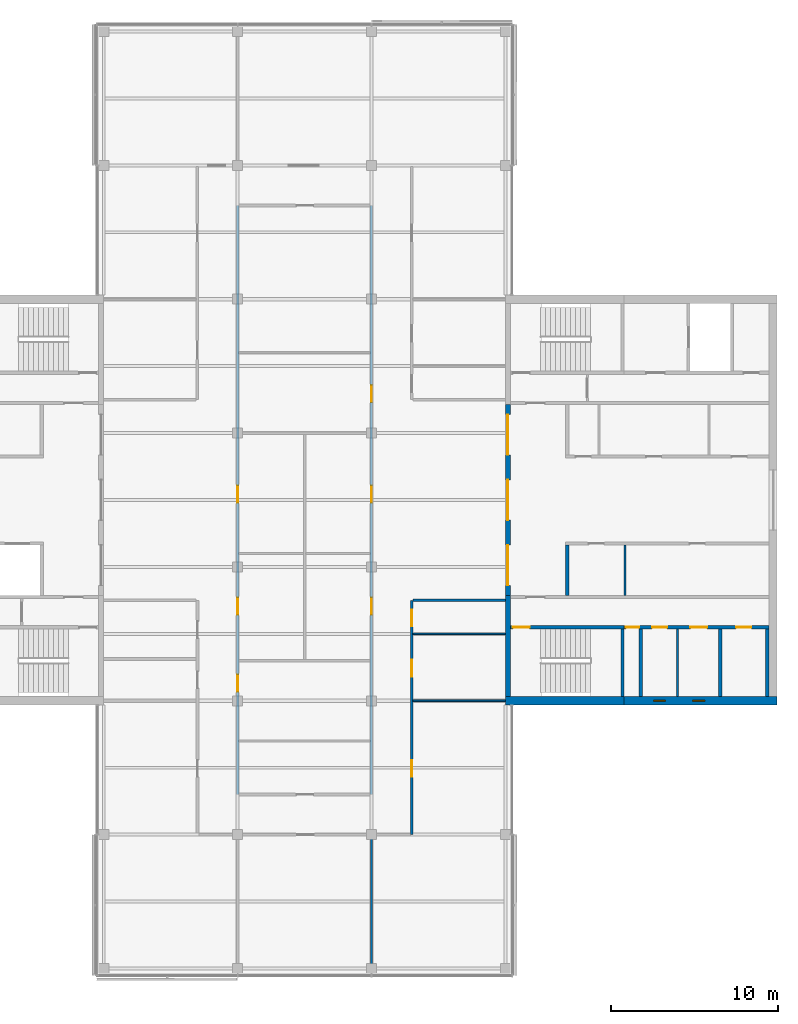
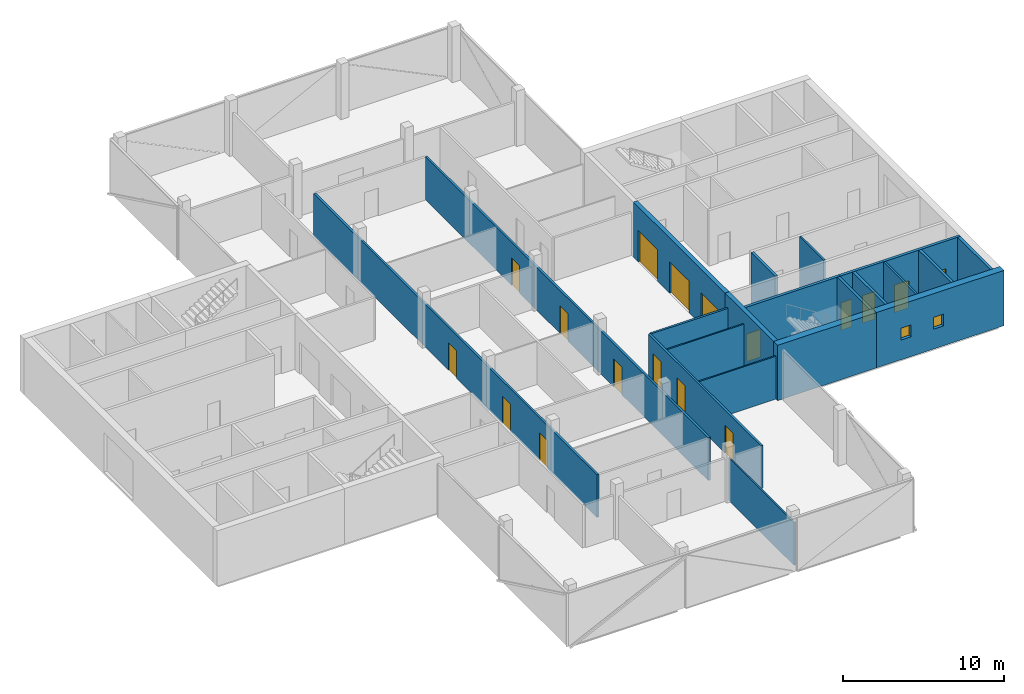
# One storey, part 10 of 16: 20 walls, 17 doors, 2 windows, 19 openings.
"""IFC4 building model written with IfcOpenShell, lengths in metres."""

from ifc_helpers import new_model, si_unit, direction, frame, frame_2d, origin, place, context, subcontext, project, spatial, rectangle, extrude, material, layer, layer_set, constituent, constituent_set, type_object, element, fill, save


model = new_model("IFC4")

# Units and contexts
model_context = context("Model", 3, precision=1e-05, world=origin(), true_north=direction((0.0, 1.0)))
body_context = subcontext(model_context, "Body", "Model", "MODEL_VIEW")
ifc_project = project(units=[si_unit("LENGTHUNIT", "METRE"), si_unit("AREAUNIT", "SQUARE_METRE"), si_unit("VOLUMEUNIT", "CUBIC_METRE"), si_unit("PLANEANGLEUNIT", "RADIAN"), si_unit("MASSUNIT", "GRAM", prefix="KILO")], contexts=[model_context])

# Site, building, storey
site_placement = place(None, origin())
site = spatial("IfcSite", under=ifc_project, at=site_placement, CompositionType="ELEMENT")
building_placement = place(site_placement, origin())
building = spatial("IfcBuilding", under=site, at=building_placement, Name="Crosswind Convention Tower", CompositionType="ELEMENT")
storey_placement = place(building_placement, frame((0.0, 0.0, 299.699951171875)))
storey = spatial("IfcBuildingStorey", under=building, at=storey_placement, Name="L65", CompositionType="ELEMENT", Elevation=299.699951171875)

# Wall
ifc_material_1 = material(Name="Concrete blockwork", Category="masonry")
ifc_layer_1 = layer(ifc_material_1, 0.199951171875)
ifc_layer_set_1 = layer_set([ifc_layer_1], Name="Blockwork partition wall 200")
wall_type_1 = type_object("IfcWallType", Name="Blockwork partition wall 200", PredefinedType="PARTITIONING", material=ifc_layer_set_1)
wall_1_placement = place(storey_placement, frame((145.10009765625, 88.25, 0.0), z_axis=(0.0, 0.0, 1.0), x_axis=(0.0, 1.0, 0.0)))
element("IfcWall", 1, at=wall_1_placement, inside=storey, type_object=wall_type_1, Name="Wall MRSE E L65", PredefinedType="PARTITIONING", context=body_context, shape_type="SweptSolid", body=[
    extrude(rectangle(XDim=4.050048828125, YDim=0.199951171875, at=frame_2d((2.02490234375, 0.0))), origin(), (0.0, 0.0, 1.0), 4.199951171875),
])

# Wall, openings, doors
ifc_material_2 = material(Name="Concrete C50/60", Category="concrete")
ifc_layer_2 = layer(ifc_material_2, 0.300048828125)
ifc_layer_set_2 = layer_set([ifc_layer_2], Name="Concrete C50/60")
wall_type_2 = type_object("IfcWallType", Name="Concrete inner core wall 300", PredefinedType="SHEAR", material=ifc_layer_set_2)
wall_2_placement = place(storey_placement, frame((137.14990234375, 94.300048828125, 0.0), z_axis=(0.0, 0.0, 1.0), x_axis=(0.0, 1.0, 0.0)))
wall_2 = element("IfcWall", 2, at=wall_2_placement, inside=storey, type_object=wall_type_2, Name="Wall SCR E L65", PredefinedType="SHEAR", context=body_context, shape_type="SweptSolid", body=[
    extrude(rectangle(XDim=11.39990234375, YDim=0.300048828125, at=frame_2d((5.699951171875, 0.0))), origin(), (0.0, 0.0, 1.0), 4.199951171875),
])
opening_1_placement = place(wall_2_placement, frame((0.60009765625, 0.0, 0.0)))
opening_1 = element("IfcOpeningElement", 3, at=opening_1_placement, cuts=wall_2, Name="Opening D100", PredefinedType="OPENING", context=body_context, shape_type="SweptSolid", body=[
    extrude(rectangle(XDim=2.39990234375, YDim=2.39990234375, at=frame_2d((1.199951171875, 1.199951171875))), frame((0.0, 0.159912109375, 0.0), z_axis=(0.0, -1.0, 0.0), x_axis=(1.0, 0.0, 0.0)), (0.0, 0.0, 1.0), 0.320068359375),
])
opening_2_placement = place(wall_2_placement, frame((4.5, 0.0, 0.0)))
opening_2 = element("IfcOpeningElement", 4, at=opening_2_placement, cuts=wall_2, Name="Opening D100", PredefinedType="OPENING", context=body_context, shape_type="SweptSolid", body=[
    extrude(rectangle(XDim=2.39990234375, YDim=2.39990234375, at=frame_2d((1.199951171875, 1.199951171875))), frame((0.0, 0.159912109375, 0.0), z_axis=(0.0, -1.0, 0.0), x_axis=(1.0, 0.0, 0.0)), (0.0, 0.0, 1.0), 0.320068359375),
])
opening_3_placement = place(wall_2_placement, frame((8.39990234375, 0.0, 0.0)))
opening_3 = element("IfcOpeningElement", 5, at=opening_3_placement, cuts=wall_2, Name="Opening D100", PredefinedType="OPENING", context=body_context, shape_type="SweptSolid", body=[
    extrude(rectangle(XDim=2.39990234375, YDim=2.39990234375, at=frame_2d((1.199951171875, 1.199951171875))), frame((0.0, 0.159912109375, 0.0), z_axis=(0.0, -1.0, 0.0), x_axis=(1.0, 0.0, 0.0)), (0.0, 0.0, 1.0), 0.320068359375),
])
ifc_material_3 = material(Name="Steel fire door with glazed vision panels", Category="steel")
door_type_1 = type_object("IfcDoorType", Name="Fire-rated double door 2400x2400", OperationType="DOUBLE_DOOR_SINGLE_SWING", PredefinedType="DOOR", material=ifc_material_3)
door_1_placement = place(opening_1_placement, origin())
door_1 = element("IfcDoor", 6, at=door_1_placement, inside=storey, type_object=door_type_1, Name="Lobby door 1 L65", ObjectType="D100", OperationType="DOUBLE_DOOR_SINGLE_SWING", OverallHeight=2.39990234375, OverallWidth=2.39990234375, PredefinedType="DOOR", context=body_context, shape_type="SweptSolid", body=[
    extrude(rectangle(XDim=2.39990234375, YDim=2.39990234375, at=frame_2d((1.199951171875, 1.199951171875))), frame((0.0, 0.02490234375, 0.0), z_axis=(0.0, -1.0, 0.0), x_axis=(1.0, 0.0, 0.0)), (0.0, 0.0, 1.0), 0.050048828125),
])
fill(opening_1, door_1)
door_2_placement = place(opening_2_placement, origin())
door_2 = element("IfcDoor", 7, at=door_2_placement, inside=storey, type_object=door_type_1, Name="Lobby door 2 L65", ObjectType="D100", OperationType="DOUBLE_DOOR_SINGLE_SWING", OverallHeight=2.39990234375, OverallWidth=2.39990234375, PredefinedType="DOOR", context=body_context, shape_type="SweptSolid", body=[
    extrude(rectangle(XDim=2.39990234375, YDim=2.39990234375, at=frame_2d((1.199951171875, 1.199951171875))), frame((0.0, 0.02490234375, 0.0), z_axis=(0.0, -1.0, 0.0), x_axis=(1.0, 0.0, 0.0)), (0.0, 0.0, 1.0), 0.050048828125),
])
fill(opening_2, door_2)
door_3_placement = place(opening_3_placement, origin())
door_3 = element("IfcDoor", 8, at=door_3_placement, inside=storey, type_object=door_type_1, Name="Lobby door 3 L65", ObjectType="D100", OperationType="DOUBLE_DOOR_SINGLE_SWING", OverallHeight=2.39990234375, OverallWidth=2.39990234375, PredefinedType="DOOR", context=body_context, shape_type="SweptSolid", body=[
    extrude(rectangle(XDim=2.39990234375, YDim=2.39990234375, at=frame_2d((1.199951171875, 1.199951171875))), frame((0.0, 0.02490234375, 0.0), z_axis=(0.0, -1.0, 0.0), x_axis=(1.0, 0.0, 0.0)), (0.0, 0.0, 1.0), 0.050048828125),
])
fill(opening_3, door_3)

# Walls
wall_3_placement = place(storey_placement, frame((137.14990234375, 88.25, 0.0), z_axis=(0.0, 0.0, 1.0), x_axis=(0.0, 1.0, 0.0)))
element("IfcWall", 9, at=wall_3_placement, inside=storey, type_object=wall_type_2, Name="Wall EM E L65", PredefinedType="SHEAR", context=body_context, shape_type="SweptSolid", body=[
    extrude(rectangle(XDim=6.050048828125, YDim=0.300048828125, at=frame_2d((3.02490234375, 0.0))), origin(), (0.0, 0.0, 1.0), 4.199951171875),
])
ifc_layer_3 = layer(ifc_material_2, 0.199951171875)
ifc_layer_set_3 = layer_set([ifc_layer_3], Name="Concrete C50/60")
wall_type_3 = type_object("IfcWallType", Name="Concrete shaft and stair wall 200", PredefinedType="SHEAR", material=ifc_layer_set_3)
wall_4_placement = place(storey_placement, frame((140.699951171875, 94.300048828125, 0.0), z_axis=(0.0, 0.0, 1.0), x_axis=(0.0, 1.0, 0.0)))
element("IfcWall", 10, at=wall_4_placement, inside=storey, type_object=wall_type_3, Name="Wall RMEND E L65", PredefinedType="SHEAR", context=body_context, shape_type="SweptSolid", body=[
    extrude(rectangle(XDim=3.0, YDim=0.199951171875, at=frame_2d((1.5, 0.0))), origin(), (0.0, 0.0, 1.0), 4.199951171875),
])
for number, where, z_axis, x_axis, name in (
    (11, (144.0, 88.25, 0.0), (0.0, 0.0, 1.0), (0.0, 1.0, 0.0), "Wall MSE E L65"),
    (12, (149.85009765625, 88.25, 0.0), (0.0, 0.0, 1.0), (0.0, 1.0, 0.0), "Wall MFSW E L65"),
    (13, (152.64990234375, 88.25, 0.0), (0.0, 0.0, 1.0), (0.0, 1.0, 0.0), "Wall MFSE E L65"),
):
    element("IfcWall", number, at=place(storey_placement, frame(where, z_axis=z_axis, x_axis=x_axis)), inside=storey, type_object=wall_type_3, Name=name, PredefinedType="SHEAR", context=body_context, shape_type="SweptSolid", body=[
        extrude(rectangle(XDim=4.050048828125, YDim=0.199951171875, at=frame_2d((2.02490234375, 0.0))), origin(), (0.0, 0.0, 1.0), 4.199951171875),
    ])

# Wall, opening, door
wall_5_placement = place(storey_placement, frame((137.300048828125, 92.39990234375, 0.0), z_axis=(0.0, 0.0, 1.0), x_axis=(1.0, 0.0, 0.0)))
wall_5 = element("IfcWall", 14, at=wall_5_placement, inside=storey, type_object=wall_type_3, Name="Wall MCW E L65", PredefinedType="SHEAR", context=body_context, shape_type="SweptSolid", body=[
    extrude(rectangle(XDim=6.800048828125, YDim=0.199951171875, at=frame_2d((3.39990234375, 0.0))), origin(), (0.0, 0.0, 1.0), 4.199951171875),
])
opening_4_placement = place(wall_5_placement, frame((0.14990234375, 0.0, 0.0)))
opening_4 = element("IfcOpeningElement", 15, at=opening_4_placement, cuts=wall_5, Name="Opening D103", PredefinedType="OPENING", context=body_context, shape_type="SweptSolid", body=[
    extrude(rectangle(XDim=1.0, YDim=2.10009765625, at=frame_2d((0.5, 1.050048828125))), frame((0.0, 0.10986328125, 0.0), z_axis=(0.0, -1.0, 0.0), x_axis=(1.0, 0.0, 0.0)), (0.0, 0.0, 1.0), 0.219970703125),
])
ifc_material_4 = material(Name="Steel fire door", Category="steel")
door_type_2 = type_object("IfcDoorType", Name="Fire-rated single door 1000x2100", OperationType="NOTDEFINED", PredefinedType="DOOR", material=ifc_material_4)
door_4_placement = place(opening_4_placement, frame((1.0, 0.0, 0.0), z_axis=(0.0, 0.0, 1.0), x_axis=(-1.0, 0.0, 0.0)))
door_4 = element("IfcDoor", 16, at=door_4_placement, inside=storey, type_object=door_type_2, Name="Stair ST2 door L65", ObjectType="D103", OperationType="SINGLE_SWING_RIGHT", OverallHeight=2.10009765625, OverallWidth=1.0, PredefinedType="DOOR", context=body_context, shape_type="SweptSolid", body=[
    extrude(rectangle(XDim=1.0, YDim=2.10009765625, at=frame_2d((0.5, 1.050048828125))), frame((0.0, 0.02490234375, 0.0), z_axis=(0.0, -1.0, 0.0), x_axis=(1.0, 0.0, 0.0)), (0.0, 0.0, 1.0), 0.050048828125),
])
fill(opening_4, door_4)

# Wall, openings, doors
wall_6_placement = place(storey_placement, frame((144.10009765625, 92.39990234375, 0.0), z_axis=(0.0, 0.0, 1.0), x_axis=(1.0, 0.0, 0.0)))
wall_6 = element("IfcWall", 17, at=wall_6_placement, inside=storey, type_object=wall_type_3, Name="Wall MCX E L65", PredefinedType="SHEAR", context=body_context, shape_type="SweptSolid", body=[
    extrude(rectangle(XDim=8.64990234375, YDim=0.199951171875, at=frame_2d((4.324951171875, 0.0))), origin(), (0.0, 0.0, 1.0), 4.199951171875),
])
opening_5_placement = place(wall_6_placement, frame((0.10009765625, 0.0, 0.0)))
opening_5 = element("IfcOpeningElement", 18, at=opening_5_placement, cuts=wall_6, Name="Opening D105", PredefinedType="OPENING", context=body_context, shape_type="SweptSolid", body=[
    extrude(rectangle(XDim=0.800048828125, YDim=2.10009765625, at=frame_2d((0.39990234375, 1.050048828125))), frame((0.0, 0.10986328125, 0.0), z_axis=(0.0, -1.0, 0.0), x_axis=(1.0, 0.0, 0.0)), (0.0, 0.0, 1.0), 0.219970703125),
])
opening_6_placement = place(wall_6_placement, frame((1.665283203125, 0.0, 0.0)))
opening_6 = element("IfcOpeningElement", 19, at=opening_6_placement, cuts=wall_6, Name="Opening D106", PredefinedType="OPENING", context=body_context, shape_type="SweptSolid", body=[
    extrude(rectangle(XDim=0.89990234375, YDim=2.10009765625, at=frame_2d((0.449951171875, 1.050048828125))), frame((0.0, 0.10986328125, 0.0), z_axis=(0.0, -1.0, 0.0), x_axis=(1.0, 0.0, 0.0)), (0.0, 0.0, 1.0), 0.219970703125),
])
opening_7_placement = place(wall_6_placement, frame((3.95263671875, 0.0, 0.0)))
opening_7 = element("IfcOpeningElement", 20, at=opening_7_placement, cuts=wall_6, Name="Opening D103", PredefinedType="OPENING", context=body_context, shape_type="SweptSolid", body=[
    extrude(rectangle(XDim=1.0, YDim=2.10009765625, at=frame_2d((0.5, 1.050048828125))), frame((0.0, 0.10986328125, 0.0), z_axis=(0.0, -1.0, 0.0), x_axis=(1.0, 0.0, 0.0)), (0.0, 0.0, 1.0), 0.219970703125),
])
opening_8_placement = place(wall_6_placement, frame((6.699951171875, 0.0, 0.0)))
opening_8 = element("IfcOpeningElement", 21, at=opening_8_placement, cuts=wall_6, Name="Opening D106", PredefinedType="OPENING", context=body_context, shape_type="SweptSolid", body=[
    extrude(rectangle(XDim=0.89990234375, YDim=2.10009765625, at=frame_2d((0.449951171875, 1.050048828125))), frame((0.0, 0.10986328125, 0.0), z_axis=(0.0, -1.0, 0.0), x_axis=(1.0, 0.0, 0.0)), (0.0, 0.0, 1.0), 0.219970703125),
])
door_5_placement = place(opening_7_placement, frame((1.0, 0.0, 0.0), z_axis=(0.0, 0.0, 1.0), x_axis=(-1.0, 0.0, 0.0)))
door_5 = element("IfcDoor", 22, at=door_5_placement, inside=storey, type_object=door_type_2, Name="Door to accessible wc L65", ObjectType="D103", OperationType="SINGLE_SWING_LEFT", OverallHeight=2.10009765625, OverallWidth=1.0, PredefinedType="DOOR", context=body_context, shape_type="SweptSolid", body=[
    extrude(rectangle(XDim=1.0, YDim=2.10009765625, at=frame_2d((0.5, 1.050048828125))), frame((0.0, 0.02490234375, 0.0), z_axis=(0.0, -1.0, 0.0), x_axis=(1.0, 0.0, 0.0)), (0.0, 0.0, 1.0), 0.050048828125),
])
fill(opening_7, door_5)
door_type_3 = type_object("IfcDoorType", Name="Riser access door 800x2100", OperationType="NOTDEFINED", PredefinedType="DOOR", material=ifc_material_4)
door_6_placement = place(opening_5_placement, frame((0.800048828125, 0.0, 0.0), z_axis=(0.0, 0.0, 1.0), x_axis=(-1.0, 0.0, 0.0)))
door_6 = element("IfcDoor", 23, at=door_6_placement, inside=storey, type_object=door_type_3, Name="Riser door L65", ObjectType="D105", OperationType="SINGLE_SWING_LEFT", OverallHeight=2.10009765625, OverallWidth=0.800048828125, PredefinedType="DOOR", context=body_context, shape_type="SweptSolid", body=[
    extrude(rectangle(XDim=0.800048828125, YDim=2.10009765625, at=frame_2d((0.39990234375, 1.050048828125))), frame((0.0, 0.02490234375, 0.0), z_axis=(0.0, -1.0, 0.0), x_axis=(1.0, 0.0, 0.0)), (0.0, 0.0, 1.0), 0.050048828125),
])
fill(opening_5, door_6)
ifc_material_5 = material(Name="Timber door", Category="wood")
door_type_4 = type_object("IfcDoorType", Name="Single leaf door 900x2100", OperationType="NOTDEFINED", PredefinedType="DOOR", material=ifc_material_5)
door_7_placement = place(opening_6_placement, frame((0.89990234375, 0.0, 0.0), z_axis=(0.0, 0.0, 1.0), x_axis=(-1.0, 0.0, 0.0)))
door_7 = element("IfcDoor", 24, at=door_7_placement, inside=storey, type_object=door_type_4, Name="Door to wc L65", ObjectType="D106", OperationType="SINGLE_SWING_LEFT", OverallHeight=2.10009765625, OverallWidth=0.89990234375, PredefinedType="DOOR", context=body_context, shape_type="SweptSolid", body=[
    extrude(rectangle(XDim=0.89990234375, YDim=2.10009765625, at=frame_2d((0.449951171875, 1.050048828125))), frame((0.0, 0.02490234375, 0.0), z_axis=(0.0, -1.0, 0.0), x_axis=(1.0, 0.0, 0.0)), (0.0, 0.0, 1.0), 0.050048828125),
])
fill(opening_6, door_7)
door_8_placement = place(opening_8_placement, frame((0.89990234375, 0.0, 0.0), z_axis=(0.0, 0.0, 1.0), x_axis=(-1.0, 0.0, 0.0)))
door_8 = element("IfcDoor", 25, at=door_8_placement, inside=storey, type_object=door_type_4, Name="Door to accessible wc L65", ObjectType="D106", OperationType="SINGLE_SWING_LEFT", OverallHeight=2.10009765625, OverallWidth=0.89990234375, PredefinedType="DOOR", context=body_context, shape_type="SweptSolid", body=[
    extrude(rectangle(XDim=0.89990234375, YDim=2.10009765625, at=frame_2d((0.449951171875, 1.050048828125))), frame((0.0, 0.02490234375, 0.0), z_axis=(0.0, -1.0, 0.0), x_axis=(1.0, 0.0, 0.0)), (0.0, 0.0, 1.0), 0.050048828125),
])
fill(opening_8, door_8)

# Walls
ifc_material_6 = material(Name="Gypsum plasterboard partition", Category="gypsum")
ifc_layer_4 = layer(ifc_material_6, 0.125)
ifc_layer_set_4 = layer_set([ifc_layer_4], Name="Drywall partition wall 125")
wall_type_4 = type_object("IfcWallType", Name="Drywall partition wall 125", PredefinedType="PARTITIONING", material=ifc_layer_set_4)
wall_7_placement = place(storey_placement, frame((144.14599609375, 94.300048828125, 0.0), z_axis=(0.0, 0.0, 1.0), x_axis=(0.0, 1.0, 0.0)))
element("IfcWall", 26, at=wall_7_placement, inside=storey, type_object=wall_type_4, Name="Wall RMP1 E L65", PredefinedType="PARTITIONING", context=body_context, shape_type="SweptSolid", body=[
    extrude(rectangle(XDim=3.0, YDim=0.125, at=frame_2d((1.5, 0.0))), origin(), (0.0, 0.0, 1.0), 4.199951171875),
])
wall_8_placement = place(storey_placement, frame((147.29296875, 88.25, 0.0), z_axis=(0.0, 0.0, 1.0), x_axis=(0.0, 1.0, 0.0)))
element("IfcWall", 27, at=wall_8_placement, inside=storey, type_object=wall_type_4, Name="Wall MWP1 E L65", PredefinedType="PARTITIONING", context=body_context, shape_type="SweptSolid", body=[
    extrude(rectangle(XDim=4.050048828125, YDim=0.125, at=frame_2d((2.02490234375, 0.0))), origin(), (0.0, 0.0, 1.0), 4.199951171875),
])
ifc_material_7 = material(Name="Plasterboard partition", Category="gypsum")
ifc_layer_5 = layer(ifc_material_7, 0.10009765625)
ifc_layer_set_5 = layer_set([ifc_layer_5], Name="PARTITION 100 METAL STUD")
wall_type_5 = type_object("IfcWallType", Name="PARTITION 100 METAL STUD", PredefinedType="PARTITIONING", material=ifc_layer_set_5)
wall_9_placement = place(storey_placement, frame((129.0, 71.780029296875, 0.0), z_axis=(0.0, 0.0, 1.0), x_axis=(0.0, 1.0, 0.0)))
element("IfcWall", 28, at=wall_9_placement, inside=storey, type_object=wall_type_5, Name="Partition wall WT40", PredefinedType="PARTITIONING", context=body_context, shape_type="SweptSolid", body=[
    extrude(rectangle(XDim=8.14501953125, YDim=0.10009765625, at=frame_2d((4.072509765625, 0.0))), origin(), (0.0, 0.0, 1.0), 3.25537109375),
])
for number, where, z_axis, x_axis, name in (
    (29, (131.47509765625, 88.0, 0.0), (0.0, 0.0, 1.0), (1.0, 0.0, 0.0), "Partition wall WT40"),
    (30, (131.47509765625, 92.0, 0.0), (0.0, 0.0, 1.0), (1.0, 0.0, 0.0), "Partition wall WT40"),
):
    element("IfcWall", number, at=place(storey_placement, frame(where, z_axis=z_axis, x_axis=x_axis)), inside=storey, type_object=wall_type_5, Name=name, PredefinedType="PARTITIONING", context=body_context, shape_type="SweptSolid", body=[
        extrude(rectangle(XDim=5.52490234375, YDim=0.10009765625, at=frame_2d((2.762451171875, 0.0))), origin(), (0.0, 0.0, 1.0), 3.25537109375),
    ])

# Wall, openings, doors
ifc_material_8 = material(Name="Fire-board partition with mineral wool", Category="gypsum")
ifc_layer_6 = layer(ifc_material_8, 0.14990234375)
ifc_layer_set_6 = layer_set([ifc_layer_6], Name="TENANCY WALL 150 TWO-HOUR BOARD")
wall_type_6 = type_object("IfcWallType", Name="TENANCY WALL 150 TWO-HOUR BOARD", PredefinedType="PARTITIONING", material=ifc_layer_set_6)
wall_10_placement = place(storey_placement, frame((121.0, 82.39990234375, 0.0), z_axis=(0.0, 0.0, 1.0), x_axis=(0.0, 1.0, 0.0)))
wall_10 = element("IfcWall", 31, at=wall_10_placement, inside=storey, type_object=wall_type_6, Name="Tenancy wall WT41", PredefinedType="PARTITIONING", context=body_context, shape_type="SweptSolid", body=[
    extrude(rectangle(XDim=35.2001953125, YDim=0.14990234375, at=frame_2d((17.60009765625, 0.0))), origin(), (0.0, 0.0, 1.0), 3.25537109375),
])
opening_9_placement = place(wall_10_placement, frame((6.14990234375, 0.0, 0.0)))
opening_9 = element("IfcOpeningElement", 32, at=opening_9_placement, cuts=wall_10, Name="Opening L65-65", PredefinedType="OPENING", context=body_context, shape_type="SweptSolid", body=[
    extrude(rectangle(XDim=1.0, YDim=2.10009765625, at=frame_2d((0.5, 1.050048828125))), frame((0.0, 0.0849609375, 0.0), z_axis=(0.0, -1.0, 0.0), x_axis=(1.0, 0.0, 0.0)), (0.0, 0.0, 1.0), 0.169921875),
])
opening_10_placement = place(wall_10_placement, frame((10.75, 0.0, 0.0)))
opening_10 = element("IfcOpeningElement", 33, at=opening_10_placement, cuts=wall_10, Name="Opening L65-66", PredefinedType="OPENING", context=body_context, shape_type="SweptSolid", body=[
    extrude(rectangle(XDim=1.0, YDim=2.10009765625, at=frame_2d((0.5, 1.050048828125))), frame((0.0, 0.0849609375, 0.0), z_axis=(0.0, -1.0, 0.0), x_axis=(1.0, 0.0, 0.0)), (0.0, 0.0, 1.0), 0.169921875),
])
opening_11_placement = place(wall_10_placement, frame((17.449951171875, 0.0, 0.0)))
opening_11 = element("IfcOpeningElement", 34, at=opening_11_placement, cuts=wall_10, Name="Opening L65-68", PredefinedType="OPENING", context=body_context, shape_type="SweptSolid", body=[
    extrude(rectangle(XDim=1.0, YDim=2.10009765625, at=frame_2d((0.5, 1.050048828125))), frame((0.0, 0.0849609375, 0.0), z_axis=(0.0, -1.0, 0.0), x_axis=(1.0, 0.0, 0.0)), (0.0, 0.0, 1.0), 0.169921875),
])
ifc_material_9 = material(Name="Timber fire door", Category="wood")
door_type_5 = type_object("IfcDoorType", Name="TENANCY ENTRANCE DOOR 1000X2100 FD30S", OperationType="NOTDEFINED", PredefinedType="DOOR", material=ifc_material_9)
door_9_placement = place(opening_9_placement, frame((1.0, 0.0, 0.0), z_axis=(0.0, 0.0, 1.0), x_axis=(-1.0, 0.0, 0.0)))
door_9 = element("IfcDoor", 35, at=door_9_placement, inside=storey, type_object=door_type_5, Name="Door L65-65", ObjectType="D41", OperationType="SINGLE_SWING_RIGHT", OverallHeight=2.10009765625, OverallWidth=1.0, PredefinedType="DOOR", context=body_context, shape_type="SweptSolid", body=[
    extrude(rectangle(XDim=1.0, YDim=2.10009765625, at=frame_2d((0.5, 1.050048828125))), frame((0.0, 0.02490234375, 0.0), z_axis=(0.0, -1.0, 0.0), x_axis=(1.0, 0.0, 0.0)), (0.0, 0.0, 1.0), 0.050048828125),
])
fill(opening_9, door_9)
door_10_placement = place(opening_10_placement, frame((1.0, 0.0, 0.0), z_axis=(0.0, 0.0, 1.0), x_axis=(-1.0, 0.0, 0.0)))
door_10 = element("IfcDoor", 36, at=door_10_placement, inside=storey, type_object=door_type_5, Name="Door L65-66", ObjectType="D41", OperationType="SINGLE_SWING_LEFT", OverallHeight=2.10009765625, OverallWidth=1.0, PredefinedType="DOOR", context=body_context, shape_type="SweptSolid", body=[
    extrude(rectangle(XDim=1.0, YDim=2.10009765625, at=frame_2d((0.5, 1.050048828125))), frame((0.0, 0.02490234375, 0.0), z_axis=(0.0, -1.0, 0.0), x_axis=(1.0, 0.0, 0.0)), (0.0, 0.0, 1.0), 0.050048828125),
])
fill(opening_10, door_10)
door_11_placement = place(opening_11_placement, frame((1.0, 0.0, 0.0), z_axis=(0.0, 0.0, 1.0), x_axis=(-1.0, 0.0, 0.0)))
door_11 = element("IfcDoor", 37, at=door_11_placement, inside=storey, type_object=door_type_5, Name="Door L65-68", ObjectType="D41", OperationType="SINGLE_SWING_LEFT", OverallHeight=2.10009765625, OverallWidth=1.0, PredefinedType="DOOR", context=body_context, shape_type="SweptSolid", body=[
    extrude(rectangle(XDim=1.0, YDim=2.10009765625, at=frame_2d((0.5, 1.050048828125))), frame((0.0, 0.02490234375, 0.0), z_axis=(0.0, -1.0, 0.0), x_axis=(1.0, 0.0, 0.0)), (0.0, 0.0, 1.0), 0.050048828125),
])
fill(opening_11, door_11)

wall_11_placement = place(storey_placement, frame((129.0, 82.39990234375, 0.0), z_axis=(0.0, 0.0, 1.0), x_axis=(0.0, 1.0, 0.0)))
wall_11 = element("IfcWall", 38, at=wall_11_placement, inside=storey, type_object=wall_type_6, Name="Tenancy wall WT41", PredefinedType="PARTITIONING", context=body_context, shape_type="SweptSolid", body=[
    extrude(rectangle(XDim=35.2001953125, YDim=0.14990234375, at=frame_2d((17.60009765625, 0.0))), origin(), (0.0, 0.0, 1.0), 3.25537109375),
])
opening_12_placement = place(wall_11_placement, frame((10.75, 0.0, 0.0)))
opening_12 = element("IfcOpeningElement", 39, at=opening_12_placement, cuts=wall_11, Name="Opening L65-67", PredefinedType="OPENING", context=body_context, shape_type="SweptSolid", body=[
    extrude(rectangle(XDim=1.0, YDim=2.10009765625, at=frame_2d((0.5, 1.050048828125))), frame((0.0, 0.0849609375, 0.0), z_axis=(0.0, -1.0, 0.0), x_axis=(1.0, 0.0, 0.0)), (0.0, 0.0, 1.0), 0.169921875),
])
opening_13_placement = place(wall_11_placement, frame((17.449951171875, 0.0, 0.0)))
opening_13 = element("IfcOpeningElement", 40, at=opening_13_placement, cuts=wall_11, Name="Opening L65-69", PredefinedType="OPENING", context=body_context, shape_type="SweptSolid", body=[
    extrude(rectangle(XDim=1.0, YDim=2.10009765625, at=frame_2d((0.5, 1.050048828125))), frame((0.0, 0.0849609375, 0.0), z_axis=(0.0, -1.0, 0.0), x_axis=(1.0, 0.0, 0.0)), (0.0, 0.0, 1.0), 0.169921875),
])
opening_14_placement = place(wall_11_placement, frame((23.449951171875, 0.0, 0.0)))
opening_14 = element("IfcOpeningElement", 41, at=opening_14_placement, cuts=wall_11, Name="Opening L65-70", PredefinedType="OPENING", context=body_context, shape_type="SweptSolid", body=[
    extrude(rectangle(XDim=1.0, YDim=2.10009765625, at=frame_2d((0.5, 1.050048828125))), frame((0.0, 0.0849609375, 0.0), z_axis=(0.0, -1.0, 0.0), x_axis=(1.0, 0.0, 0.0)), (0.0, 0.0, 1.0), 0.169921875),
])
door_12_placement = place(opening_12_placement, origin())
door_12 = element("IfcDoor", 42, at=door_12_placement, inside=storey, type_object=door_type_5, Name="Door L65-67", ObjectType="D41", OperationType="SINGLE_SWING_RIGHT", OverallHeight=2.10009765625, OverallWidth=1.0, PredefinedType="DOOR", context=body_context, shape_type="SweptSolid", body=[
    extrude(rectangle(XDim=1.0, YDim=2.10009765625, at=frame_2d((0.5, 1.050048828125))), frame((0.0, 0.02490234375, 0.0), z_axis=(0.0, -1.0, 0.0), x_axis=(1.0, 0.0, 0.0)), (0.0, 0.0, 1.0), 0.050048828125),
])
fill(opening_12, door_12)
door_13_placement = place(opening_13_placement, origin())
door_13 = element("IfcDoor", 43, at=door_13_placement, inside=storey, type_object=door_type_5, Name="Door L65-69", ObjectType="D41", OperationType="SINGLE_SWING_RIGHT", OverallHeight=2.10009765625, OverallWidth=1.0, PredefinedType="DOOR", context=body_context, shape_type="SweptSolid", body=[
    extrude(rectangle(XDim=1.0, YDim=2.10009765625, at=frame_2d((0.5, 1.050048828125))), frame((0.0, 0.02490234375, 0.0), z_axis=(0.0, -1.0, 0.0), x_axis=(1.0, 0.0, 0.0)), (0.0, 0.0, 1.0), 0.050048828125),
])
fill(opening_13, door_13)
door_14_placement = place(opening_14_placement, origin())
door_14 = element("IfcDoor", 44, at=door_14_placement, inside=storey, type_object=door_type_5, Name="Door L65-70", ObjectType="D41", OperationType="SINGLE_SWING_LEFT", OverallHeight=2.10009765625, OverallWidth=1.0, PredefinedType="DOOR", context=body_context, shape_type="SweptSolid", body=[
    extrude(rectangle(XDim=1.0, YDim=2.10009765625, at=frame_2d((0.5, 1.050048828125))), frame((0.0, 0.02490234375, 0.0), z_axis=(0.0, -1.0, 0.0), x_axis=(1.0, 0.0, 0.0)), (0.0, 0.0, 1.0), 0.050048828125),
])
fill(opening_14, door_14)

wall_12_placement = place(storey_placement, frame((131.39990234375, 80.0, 0.0), z_axis=(0.0, 0.0, 1.0), x_axis=(0.0, 1.0, 0.0)))
wall_12 = element("IfcWall", 45, at=wall_12_placement, inside=storey, type_object=wall_type_6, Name="Tenancy wall WT41", PredefinedType="PARTITIONING", context=body_context, shape_type="SweptSolid", body=[
    extrude(rectangle(XDim=14.0, YDim=0.14990234375, at=frame_2d((7.0, 0.0))), origin(), (0.0, 0.0, 1.0), 3.25537109375),
])
opening_15_placement = place(wall_12_placement, frame((12.449951171875, 0.0, 0.0)))
opening_15 = element("IfcOpeningElement", 46, at=opening_15_placement, cuts=wall_12, Name="Opening L65-53", PredefinedType="OPENING", context=body_context, shape_type="SweptSolid", body=[
    extrude(rectangle(XDim=1.0, YDim=2.10009765625, at=frame_2d((0.5, 1.050048828125))), frame((0.0, 0.0849609375, 0.0), z_axis=(0.0, -1.0, 0.0), x_axis=(1.0, 0.0, 0.0)), (0.0, 0.0, 1.0), 0.169921875),
])
opening_16_placement = place(wall_12_placement, frame((9.449951171875, 0.0, 0.0)))
opening_16 = element("IfcOpeningElement", 47, at=opening_16_placement, cuts=wall_12, Name="Opening L65-54", PredefinedType="OPENING", context=body_context, shape_type="SweptSolid", body=[
    extrude(rectangle(XDim=1.0, YDim=2.10009765625, at=frame_2d((0.5, 1.050048828125))), frame((0.0, 0.0849609375, 0.0), z_axis=(0.0, -1.0, 0.0), x_axis=(1.0, 0.0, 0.0)), (0.0, 0.0, 1.0), 0.169921875),
])
opening_17_placement = place(wall_12_placement, frame((3.449951171875, 0.0, 0.0)))
opening_17 = element("IfcOpeningElement", 48, at=opening_17_placement, cuts=wall_12, Name="Opening L65-55", PredefinedType="OPENING", context=body_context, shape_type="SweptSolid", body=[
    extrude(rectangle(XDim=1.0, YDim=2.10009765625, at=frame_2d((0.5, 1.050048828125))), frame((0.0, 0.0849609375, 0.0), z_axis=(0.0, -1.0, 0.0), x_axis=(1.0, 0.0, 0.0)), (0.0, 0.0, 1.0), 0.169921875),
])
door_15_placement = place(opening_15_placement, frame((1.0, 0.0, 0.0), z_axis=(0.0, 0.0, 1.0), x_axis=(-1.0, 0.0, 0.0)))
door_15 = element("IfcDoor", 49, at=door_15_placement, inside=storey, type_object=door_type_5, Name="Door L65-53", ObjectType="D41", OperationType="SINGLE_SWING_RIGHT", OverallHeight=2.10009765625, OverallWidth=1.0, PredefinedType="DOOR", context=body_context, shape_type="SweptSolid", body=[
    extrude(rectangle(XDim=1.0, YDim=2.10009765625, at=frame_2d((0.5, 1.050048828125))), frame((0.0, 0.02490234375, 0.0), z_axis=(0.0, -1.0, 0.0), x_axis=(1.0, 0.0, 0.0)), (0.0, 0.0, 1.0), 0.050048828125),
])
fill(opening_15, door_15)
door_16_placement = place(opening_16_placement, frame((1.0, 0.0, 0.0), z_axis=(0.0, 0.0, 1.0), x_axis=(-1.0, 0.0, 0.0)))
door_16 = element("IfcDoor", 50, at=door_16_placement, inside=storey, type_object=door_type_5, Name="Door L65-54", ObjectType="D41", OperationType="SINGLE_SWING_RIGHT", OverallHeight=2.10009765625, OverallWidth=1.0, PredefinedType="DOOR", context=body_context, shape_type="SweptSolid", body=[
    extrude(rectangle(XDim=1.0, YDim=2.10009765625, at=frame_2d((0.5, 1.050048828125))), frame((0.0, 0.02490234375, 0.0), z_axis=(0.0, -1.0, 0.0), x_axis=(1.0, 0.0, 0.0)), (0.0, 0.0, 1.0), 0.050048828125),
])
fill(opening_16, door_16)
door_17_placement = place(opening_17_placement, frame((1.0, 0.0, 0.0), z_axis=(0.0, 0.0, 1.0), x_axis=(-1.0, 0.0, 0.0)))
door_17 = element("IfcDoor", 51, at=door_17_placement, inside=storey, type_object=door_type_5, Name="Door L65-55", ObjectType="D41", OperationType="SINGLE_SWING_LEFT", OverallHeight=2.10009765625, OverallWidth=1.0, PredefinedType="DOOR", context=body_context, shape_type="SweptSolid", body=[
    extrude(rectangle(XDim=1.0, YDim=2.10009765625, at=frame_2d((0.5, 1.050048828125))), frame((0.0, 0.02490234375, 0.0), z_axis=(0.0, -1.0, 0.0), x_axis=(1.0, 0.0, 0.0)), (0.0, 0.0, 1.0), 0.050048828125),
])
fill(opening_17, door_17)

# Walls
wall_13_placement = place(storey_placement, frame((131.47509765625, 94.0, 0.0), z_axis=(0.0, 0.0, 1.0), x_axis=(1.0, 0.0, 0.0)))
element("IfcWall", 52, at=wall_13_placement, inside=storey, type_object=wall_type_6, Name="Tenancy wall WT41", PredefinedType="PARTITIONING", context=body_context, shape_type="SweptSolid", body=[
    extrude(rectangle(XDim=5.52490234375, YDim=0.14990234375, at=frame_2d((2.762451171875, 0.0))), origin(), (0.0, 0.0, 1.0), 3.25537109375),
])
ifc_material_10 = material(Name="Concrete C60/75", Category="concrete")
ifc_constituent_1 = constituent(ifc_material_10, Name="Structure")
ifc_material_11 = material(Name="Terracotta rainscreen", Category="ceramic")
ifc_constituent_2 = constituent(ifc_material_11, Name="Facing")
ifc_constituent_set = constituent_set(constituents=[ifc_constituent_1, ifc_constituent_2], Name="Concrete C60/75, Terracotta rainscreen")
wall_type_7 = type_object("IfcWallType", Name="Terracotta rainscreen on concrete core wall 500", PredefinedType="SHEAR", material=ifc_constituent_set)
wall_14_placement = place(storey_placement, frame((137.0, 88.0, 0.0), z_axis=(0.0, 0.0, 1.0), x_axis=(1.0, 0.0, 0.0)))
element("IfcWall", 53, at=wall_14_placement, inside=storey, type_object=wall_type_7, Name="Wall S1 E L65", PredefinedType="SHEAR", context=body_context, shape_type="SweptSolid", body=[
    extrude(rectangle(XDim=7.10009765625, YDim=0.5, at=frame_2d((3.550048828125, 0.0))), origin(), (0.0, 0.0, 1.0), 4.199951171875),
])

# Wall, openings, windows
wall_15_placement = place(storey_placement, frame((144.10009765625, 88.0, 0.0), z_axis=(0.0, 0.0, 1.0), x_axis=(1.0, 0.0, 0.0)))
wall_15 = element("IfcWall", 54, at=wall_15_placement, inside=storey, type_object=wall_type_7, Name="Wall S2 E L65", PredefinedType="SHEAR", context=body_context, shape_type="SweptSolid", body=[
    extrude(rectangle(XDim=9.14990234375, YDim=0.5, at=frame_2d((4.574951171875, 0.0))), origin(), (0.0, 0.0, 1.0), 4.199951171875),
])
opening_18_placement = place(wall_15_placement, frame((1.76513671875, 0.0, 1.5)))
opening_18 = element("IfcOpeningElement", 55, at=opening_18_placement, cuts=wall_15, Name="Opening W2", PredefinedType="OPENING", context=body_context, shape_type="SweptSolid", body=[
    extrude(rectangle(XDim=0.699951171875, YDim=0.89990234375, at=frame_2d((0.35009765625, 0.449951171875))), frame((0.0, 0.260009765625, 0.0), z_axis=(0.0, -1.0, 0.0), x_axis=(1.0, 0.0, 0.0)), (0.0, 0.0, 1.0), 0.52001953125),
])
opening_19_placement = place(wall_15_placement, frame((4.102783203125, 0.0, 1.5)))
opening_19 = element("IfcOpeningElement", 56, at=opening_19_placement, cuts=wall_15, Name="Opening W2", PredefinedType="OPENING", context=body_context, shape_type="SweptSolid", body=[
    extrude(rectangle(XDim=0.699951171875, YDim=0.89990234375, at=frame_2d((0.35009765625, 0.449951171875))), frame((0.0, 0.260009765625, 0.0), z_axis=(0.0, -1.0, 0.0), x_axis=(1.0, 0.0, 0.0)), (0.0, 0.0, 1.0), 0.52001953125),
])
ifc_material_12 = material(Name="Obscure glass in aluminium frame", Category="aluminium")
window_type = type_object("IfcWindowType", Name="WC window 700x900", PartitioningType="SINGLE_PANEL", PredefinedType="WINDOW", material=ifc_material_12)
window_1_placement = place(opening_18_placement, origin())
window_1 = element("IfcWindow", 57, at=window_1_placement, inside=storey, type_object=window_type, Name="WC window L65", ObjectType="W2", OverallHeight=0.89990234375, OverallWidth=0.699951171875, PartitioningType="SINGLE_PANEL", PredefinedType="WINDOW", context=body_context, shape_type="SweptSolid", body=[
    extrude(rectangle(XDim=0.699951171875, YDim=0.89990234375, at=frame_2d((0.35009765625, 0.449951171875))), frame((0.0, 0.030029296875, 0.0), z_axis=(0.0, -1.0, 0.0), x_axis=(1.0, 0.0, 0.0)), (0.0, 0.0, 1.0), 0.06005859375),
])
fill(opening_18, window_1)
window_2_placement = place(opening_19_placement, origin())
window_2 = element("IfcWindow", 58, at=window_2_placement, inside=storey, type_object=window_type, Name="WC window L65", ObjectType="W2", OverallHeight=0.89990234375, OverallWidth=0.699951171875, PartitioningType="SINGLE_PANEL", PredefinedType="WINDOW", context=body_context, shape_type="SweptSolid", body=[
    extrude(rectangle(XDim=0.699951171875, YDim=0.89990234375, at=frame_2d((0.35009765625, 0.449951171875))), frame((0.0, 0.030029296875, 0.0), z_axis=(0.0, -1.0, 0.0), x_axis=(1.0, 0.0, 0.0)), (0.0, 0.0, 1.0), 0.06005859375),
])
fill(opening_19, window_2)

save(model, "model.ifc")
